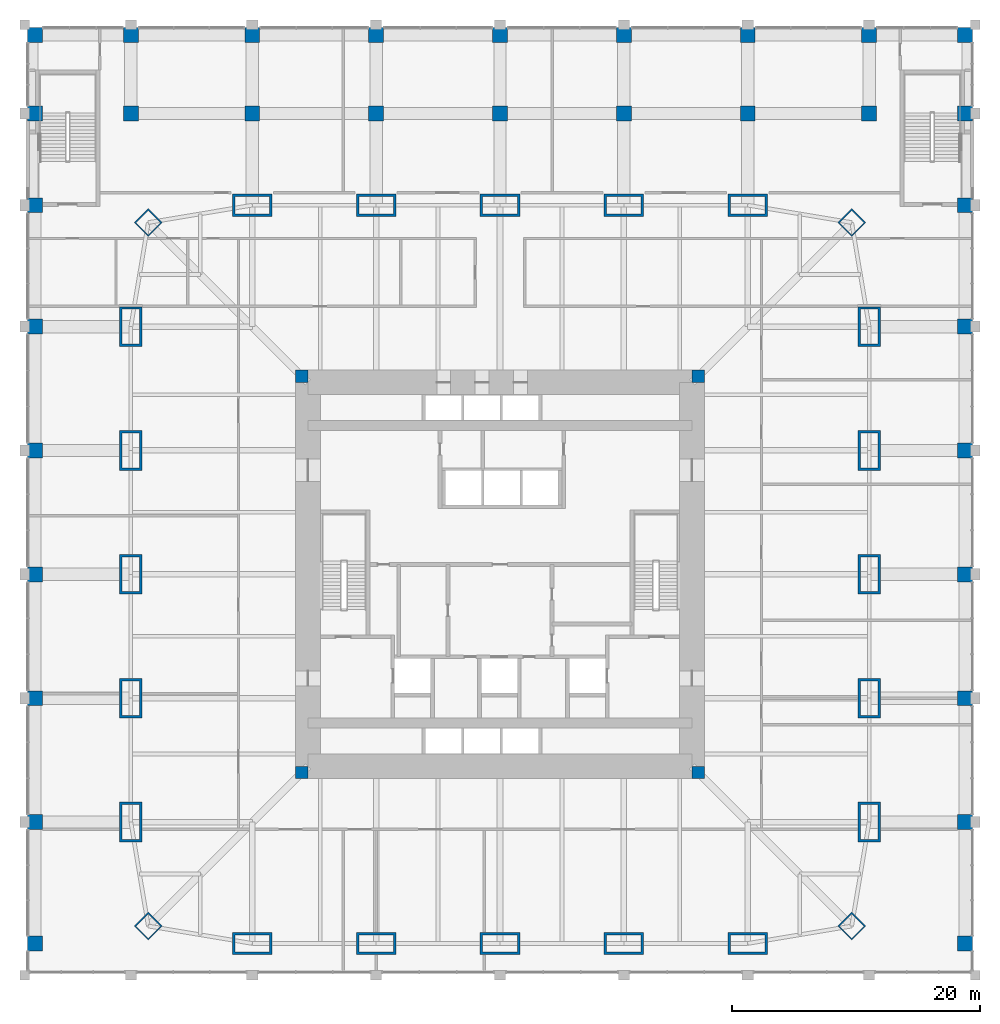
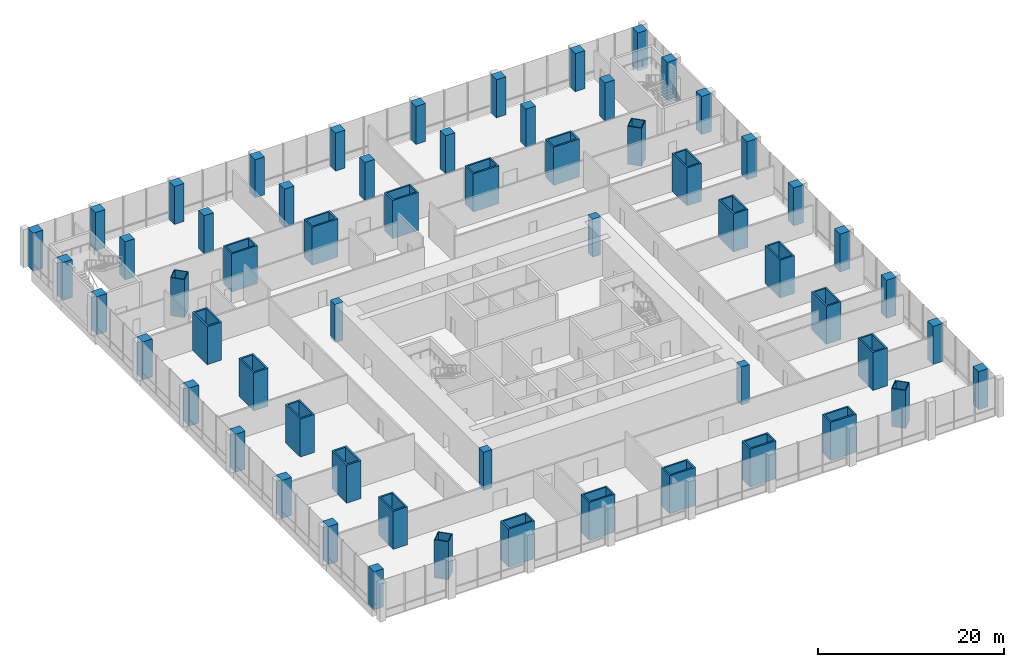
# One storey, part 1 of 24: 60 columns.
"""IFC4 building model written with IfcOpenShell, lengths in metres."""

from ifc_helpers import new_model, si_unit, direction, frame, origin, origin_2d, place, context, subcontext, project, spatial, rectangle, hollow_rectangle, extrude, material, material_profile, profile_set, type_object, element, save


model = new_model("IFC4")

# Units and contexts
model_context = context("Model", 3, precision=1e-05, world=origin(), true_north=direction((0.0, 1.0)))
body_context = subcontext(model_context, "Body", "Model", "MODEL_VIEW")
ifc_project = project(units=[si_unit("LENGTHUNIT", "METRE"), si_unit("AREAUNIT", "SQUARE_METRE"), si_unit("VOLUMEUNIT", "CUBIC_METRE"), si_unit("PLANEANGLEUNIT", "RADIAN"), si_unit("MASSUNIT", "GRAM", prefix="KILO")], contexts=[model_context])

# Site, building, storey
site_placement = place(None, origin())
site = spatial("IfcSite", under=ifc_project, at=site_placement, CompositionType="ELEMENT")
building_placement = place(site_placement, origin())
building = spatial("IfcBuilding", under=site, at=building_placement, Name="Khuree Lantern Residences", CompositionType="ELEMENT")
storey_placement = place(building_placement, frame((0.0, 0.0, 6.0)))
storey = spatial("IfcBuildingStorey", under=building, at=storey_placement, Name="L01", CompositionType="ELEMENT", Elevation=6.0)

# Columns
ifc_material_1 = material(Name="Steel S355 CFT welded box", Category="steel")
ifc_material_profile_1 = material_profile(ifc_material_1, hollow_rectangle(XDim=1.60009765625, YDim=1.60009765625, WallThickness=0.10009765625, at=origin_2d()), Name="WELDED BOX 1600X1600X100")
ifc_profile_set_1 = profile_set([ifc_material_profile_1], Name="Steel S355 CFT welded box")
column_type_1 = type_object("IfcColumnType", Name="CC1600 PERIMETER CORNER MEGA COLUMN WELDED BOX 1600X1600X100", PredefinedType="COLUMN", material=ifc_profile_set_1)
for number, where, z_axis, x_axis, name in (
    (1, (28.39404296875, 28.39404296875, 0.0), (0.0, 0.0, 1.0), (0.707106781187, -0.707106781187, 0.0), "Perimeter column NE"),
    (2, (28.39404296875, -28.39404296875, 0.0), (0.0, 0.0, 1.0), (0.707106781187, 0.707106781187, 0.0), "Perimeter column SE"),
    (3, (-28.39404296875, -28.39404296875, 0.0), (0.0, 0.0, 1.0), (0.707106781187, -0.707106781187, 0.0), "Perimeter column SW"),
    (4, (-28.39404296875, 28.39404296875, 0.0), (0.0, 0.0, 1.0), (0.707106781187, 0.707106781187, 0.0), "Perimeter column NW"),
):
    element("IfcColumn", number, at=place(storey_placement, frame(where, z_axis=z_axis, x_axis=x_axis)), inside=storey, type_object=column_type_1, Name=name, PredefinedType="COLUMN", context=body_context, shape_type="SweptSolid", body=[
        extrude(hollow_rectangle(XDim=1.60009765625, YDim=1.60009765625, WallThickness=0.10009765625, at=origin_2d()), origin(), (0.0, 0.0, 1.0), 5.0),
    ])
ifc_material_2 = material(Name="Concrete C70/85", Category="concrete")
ifc_material_profile_2 = material_profile(ifc_material_2, rectangle(XDim=1.0, YDim=1.0, at=origin_2d()), Name="RC 1000X1000")
ifc_profile_set_2 = profile_set([ifc_material_profile_2], Name="Concrete C70/85")
column_type_2 = type_object("IfcColumnType", Name="CP1000-C70 CORE CORNER PIER C70 RC 1000X1000", PredefinedType="COLUMN", material=ifc_profile_set_2)
for number, where, z_axis, x_axis, name in (
    (5, (16.0, 16.0, -0.300048828125), (0.0, 0.0, 1.0), (1.0, 0.0, 0.0), "Core corner pier NE"),
    (6, (-16.0, 16.0, -0.300048828125), (0.0, 0.0, 1.0), (1.0, 0.0, 0.0), "Core corner pier NW"),
    (7, (-16.0, -16.0, -0.300048828125), (0.0, 0.0, 1.0), (1.0, 0.0, 0.0), "Core corner pier SW"),
    (8, (16.0, -16.0, -0.300048828125), (0.0, 0.0, 1.0), (1.0, 0.0, 0.0), "Core corner pier SE"),
):
    element("IfcColumn", number, at=place(storey_placement, frame(where, z_axis=z_axis, x_axis=x_axis)), inside=storey, type_object=column_type_2, Name=name, PredefinedType="COLUMN", context=body_context, shape_type="SweptSolid", body=[
        extrude(rectangle(XDim=1.0, YDim=1.0, at=origin_2d()), origin(), (0.0, 0.0, 1.0), 5.0),
    ])
ifc_material_profile_3 = material_profile(ifc_material_2, rectangle(XDim=1.199951171875, YDim=1.199951171875, at=origin_2d()), Name="RC 1200X1200")
ifc_profile_set_3 = profile_set([ifc_material_profile_3], Name="Concrete C70/85")
column_type_3 = type_object("IfcColumnType", Name="GC1 PODIUM COLUMN RC 1200X1200", PredefinedType="COLUMN", material=ifc_profile_set_3)
for number, where, z_axis, x_axis, name in (
    (9, (-37.550048828125, -29.800048828125, 0.0), (0.0, 0.0, 1.0), (1.0, 0.0, 0.0), "Column GC-17"),
    (10, (37.550048828125, -29.800048828125, 0.0), (0.0, 0.0, 1.0), (1.0, 0.0, 0.0), "Column GC-18"),
    (11, (-37.550048828125, -20.0, 0.0), (0.0, 0.0, 1.0), (1.0, 0.0, 0.0), "Column GC-19"),
    (12, (37.550048828125, -20.0, 0.0), (0.0, 0.0, 1.0), (1.0, 0.0, 0.0), "Column GC-20"),
    (13, (-37.550048828125, -10.0, 0.0), (0.0, 0.0, 1.0), (1.0, 0.0, 0.0), "Column GC-21"),
    (14, (37.550048828125, -10.0, 0.0), (0.0, 0.0, 1.0), (1.0, 0.0, 0.0), "Column GC-22"),
    (15, (-37.550048828125, 0.0, 0.0), (0.0, 0.0, 1.0), (1.0, 0.0, 0.0), "Column GC-23"),
    (16, (37.550048828125, 0.0, 0.0), (0.0, 0.0, 1.0), (1.0, 0.0, 0.0), "Column GC-24"),
    (17, (-37.550048828125, 10.0, 0.0), (0.0, 0.0, 1.0), (1.0, 0.0, 0.0), "Column GC-25"),
    (18, (37.550048828125, 10.0, 0.0), (0.0, 0.0, 1.0), (1.0, 0.0, 0.0), "Column GC-26"),
    (19, (-37.550048828125, 20.0, 0.0), (0.0, 0.0, 1.0), (1.0, 0.0, 0.0), "Column GC-27"),
    (20, (37.550048828125, 20.0, 0.0), (0.0, 0.0, 1.0), (1.0, 0.0, 0.0), "Column GC-28"),
    (21, (-37.550048828125, 29.800048828125, 0.0), (0.0, 0.0, 1.0), (1.0, 0.0, 0.0), "Column GC-29"),
    (22, (37.550048828125, 29.800048828125, 0.0), (0.0, 0.0, 1.0), (1.0, 0.0, 0.0), "Column GC-30"),
    (23, (-37.550048828125, 37.199951171875, 0.0), (0.0, 0.0, 1.0), (1.0, 0.0, 0.0), "Column GC-31"),
    (24, (-29.800048828125, 37.199951171875, 0.0), (0.0, 0.0, 1.0), (1.0, 0.0, 0.0), "Column GC-32"),
    (25, (-20.0, 37.199951171875, 0.0), (0.0, 0.0, 1.0), (1.0, 0.0, 0.0), "Column GC-33"),
    (26, (-10.0, 37.199951171875, 0.0), (0.0, 0.0, 1.0), (1.0, 0.0, 0.0), "Column GC-34"),
    (27, (0.0, 37.199951171875, 0.0), (0.0, 0.0, 1.0), (1.0, 0.0, 0.0), "Column GC-35"),
    (28, (10.0, 37.199951171875, 0.0), (0.0, 0.0, 1.0), (1.0, 0.0, 0.0), "Column GC-36"),
    (29, (20.0, 37.199951171875, 0.0), (0.0, 0.0, 1.0), (1.0, 0.0, 0.0), "Column GC-37"),
    (30, (29.800048828125, 37.199951171875, 0.0), (0.0, 0.0, 1.0), (1.0, 0.0, 0.0), "Column GC-38"),
    (31, (37.550048828125, 37.199951171875, 0.0), (0.0, 0.0, 1.0), (1.0, 0.0, 0.0), "Column GC-39"),
    (32, (-37.550048828125, 43.550048828125, 0.0), (0.0, 0.0, 1.0), (1.0, 0.0, 0.0), "Column GC-40"),
    (33, (-29.800048828125, 43.550048828125, 0.0), (0.0, 0.0, 1.0), (1.0, 0.0, 0.0), "Column GC-41"),
    (34, (-20.0, 43.550048828125, 0.0), (0.0, 0.0, 1.0), (1.0, 0.0, 0.0), "Column GC-42"),
    (35, (-10.0, 43.550048828125, 0.0), (0.0, 0.0, 1.0), (1.0, 0.0, 0.0), "Column GC-43"),
    (36, (0.0, 43.550048828125, 0.0), (0.0, 0.0, 1.0), (1.0, 0.0, 0.0), "Column GC-44"),
    (37, (10.0, 43.550048828125, 0.0), (0.0, 0.0, 1.0), (1.0, 0.0, 0.0), "Column GC-45"),
    (38, (20.0, 43.550048828125, 0.0), (0.0, 0.0, 1.0), (1.0, 0.0, 0.0), "Column GC-46"),
    (39, (29.800048828125, 43.550048828125, 0.0), (0.0, 0.0, 1.0), (1.0, 0.0, 0.0), "Column GC-47"),
    (40, (37.550048828125, 43.550048828125, 0.0), (0.0, 0.0, 1.0), (1.0, 0.0, 0.0), "Column GC-48"),
):
    element("IfcColumn", number, at=place(storey_placement, frame(where, z_axis=z_axis, x_axis=x_axis)), inside=storey, type_object=column_type_3, Name=name, PredefinedType="COLUMN", context=body_context, shape_type="SweptSolid", body=[
        extrude(rectangle(XDim=1.199951171875, YDim=1.199951171875, at=origin_2d()), origin(), (0.0, 0.0, 1.0), 5.0),
    ])
ifc_material_profile_4 = material_profile(ifc_material_1, hollow_rectangle(XDim=3.199951171875, YDim=1.800048828125, WallThickness=0.199951171875, at=origin_2d()), Name="WELDED BOX 3200X1800X200")
ifc_profile_set_4 = profile_set([ifc_material_profile_4], Name="Steel S355 CFT welded box")
column_type_4 = type_object("IfcColumnType", Name="SC1 PERIMETER MEGA COLUMN WELDED BOX 3200X1800X200", PredefinedType="COLUMN", material=ifc_profile_set_4)
for number, where, z_axis, x_axis, name in (
    (41, (-20.0, 29.800048828125, 0.0), (0.0, 0.0, 1.0), (1.0, 0.0, 0.0), "Perimeter column N1"),
    (42, (-10.0, 29.800048828125, 0.0), (0.0, 0.0, 1.0), (1.0, 0.0, 0.0), "Perimeter column N2"),
    (43, (0.0, 29.800048828125, 0.0), (0.0, 0.0, 1.0), (1.0, 0.0, 0.0), "Perimeter column N3"),
    (44, (10.0, 29.800048828125, 0.0), (0.0, 0.0, 1.0), (1.0, 0.0, 0.0), "Perimeter column N4"),
    (45, (20.0, 29.800048828125, 0.0), (0.0, 0.0, 1.0), (1.0, 0.0, 0.0), "Perimeter column N5"),
    (46, (29.800048828125, 20.0, 0.0), (0.0, 0.0, 1.0), (0.0, 1.0, 0.0), "Perimeter column E1"),
    (47, (29.800048828125, 10.0, 0.0), (0.0, 0.0, 1.0), (0.0, 1.0, 0.0), "Perimeter column E2"),
    (48, (29.800048828125, 0.0, 0.0), (0.0, 0.0, 1.0), (0.0, 1.0, 0.0), "Perimeter column E3"),
    (49, (29.800048828125, -10.0, 0.0), (0.0, 0.0, 1.0), (0.0, 1.0, 0.0), "Perimeter column E4"),
    (50, (29.800048828125, -20.0, 0.0), (0.0, 0.0, 1.0), (0.0, 1.0, 0.0), "Perimeter column E5"),
    (51, (20.0, -29.800048828125, 0.0), (0.0, 0.0, 1.0), (1.0, 0.0, 0.0), "Perimeter column S1"),
    (52, (10.0, -29.800048828125, 0.0), (0.0, 0.0, 1.0), (1.0, 0.0, 0.0), "Perimeter column S2"),
    (53, (0.0, -29.800048828125, 0.0), (0.0, 0.0, 1.0), (1.0, 0.0, 0.0), "Perimeter column S3"),
    (54, (-10.0, -29.800048828125, 0.0), (0.0, 0.0, 1.0), (1.0, 0.0, 0.0), "Perimeter column S4"),
    (55, (-20.0, -29.800048828125, 0.0), (0.0, 0.0, 1.0), (1.0, 0.0, 0.0), "Perimeter column S5"),
    (56, (-29.800048828125, -20.0, 0.0), (0.0, 0.0, 1.0), (0.0, 1.0, 0.0), "Perimeter column W1"),
    (57, (-29.800048828125, -10.0, 0.0), (0.0, 0.0, 1.0), (0.0, 1.0, 0.0), "Perimeter column W2"),
    (58, (-29.800048828125, 0.0, 0.0), (0.0, 0.0, 1.0), (0.0, 1.0, 0.0), "Perimeter column W3"),
    (59, (-29.800048828125, 10.0, 0.0), (0.0, 0.0, 1.0), (0.0, 1.0, 0.0), "Perimeter column W4"),
    (60, (-29.800048828125, 20.0, 0.0), (0.0, 0.0, 1.0), (0.0, 1.0, 0.0), "Perimeter column W5"),
):
    element("IfcColumn", number, at=place(storey_placement, frame(where, z_axis=z_axis, x_axis=x_axis)), inside=storey, type_object=column_type_4, Name=name, PredefinedType="COLUMN", context=body_context, shape_type="SweptSolid", body=[
        extrude(hollow_rectangle(XDim=3.199951171875, YDim=1.800048828125, WallThickness=0.199951171875, at=origin_2d()), origin(), (0.0, 0.0, 1.0), 5.0),
    ])

save(model, "model.ifc")
